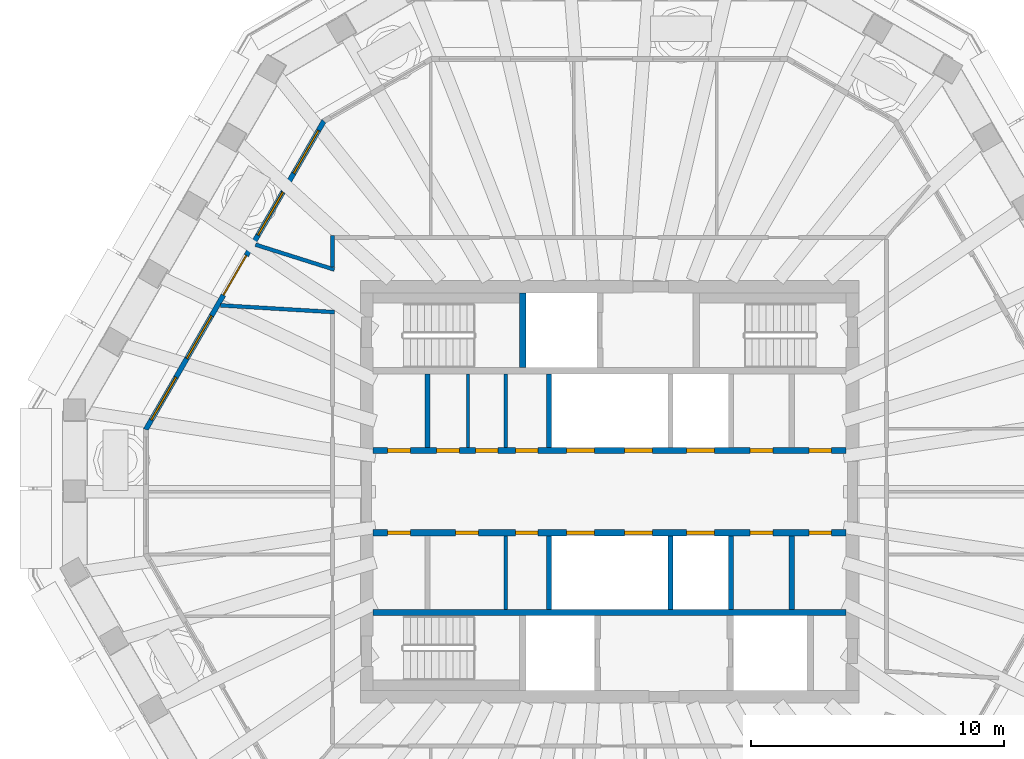
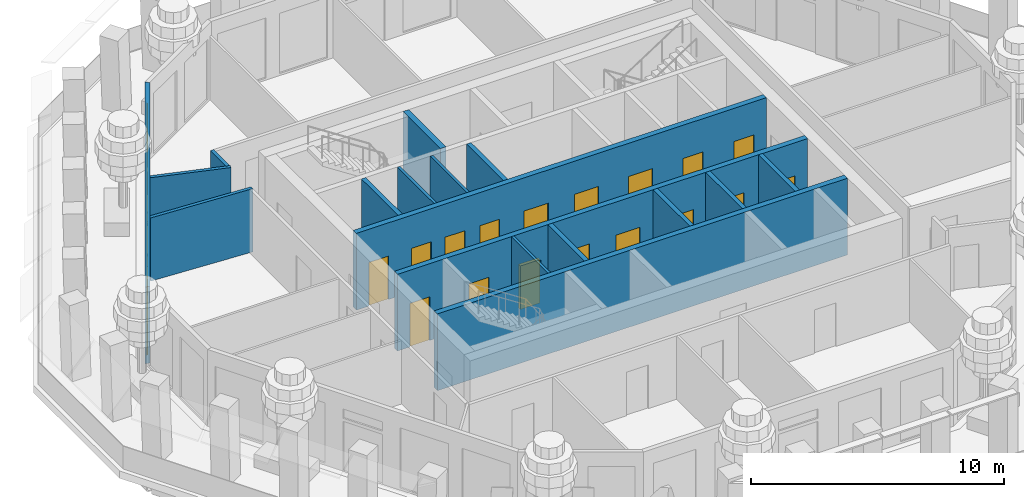
# One storey, part 5 of 13: 18 doors, 17 walls, 5 windows, 23 openings.
"""IFC4 building model written with IfcOpenShell, lengths in metres."""

import ifcopenshell
import ifcopenshell.guid

model = None  # the IFC model being written
_history = None  # IfcOwnerHistory: only IFC2X3 demands one
_inside = {}  # id of a spatial element -> (the spatial element, [elements in it])
_under = {}  # id of a project, library or spatial element -> (it, [spatial elements below it])
_declared = {}  # id of a project -> (the project, [libraries it declares])
_typed = {}  # id of a type object -> (the type object, [elements of that type])
_made_of = {}  # id of a material, layer set ... -> (it, [elements and type objects made of it])


def new_model(schema):
    """Start an empty IFC model of exactly this schema.

    Asked for "IFC4X3", IfcOpenShell would pick the latest addendum, in which some entities
    have other attributes; the version numbers below select the first issue.
    IFC2X3 requires an IfcOwnerHistory on every rooted entity: one is made here for all.
    """
    global model, _history
    if schema == "IFC4X3":
        model = ifcopenshell.file(schema_version=(4, 3, 0, 0))
    else:
        model = ifcopenshell.file(schema=schema)
    _inside.clear()
    _under.clear()
    _declared.clear()
    _typed.clear()
    _made_of.clear()
    _history = None
    if model.schema == "IFC2X3":
        org = make("IfcOrganization", Name="unknown")
        user = make(
            "IfcPersonAndOrganization",
            ThePerson=make("IfcPerson", FamilyName="unknown"),
            TheOrganization=org,
        )
        app = make(
            "IfcApplication",
            ApplicationDeveloper=org,
            Version="unknown",
            ApplicationFullName="unknown",
            ApplicationIdentifier="unknown",
        )
        _history = make(
            "IfcOwnerHistory",
            OwningUser=user,
            OwningApplication=app,
            ChangeAction="ADDED",
            CreationDate=0,
        )
    return model


def make(cls, **values):
    """One entity of the class cls with the attributes given. An attribute that is None is left unset."""
    return model.create_entity(
        cls, **{name: value for name, value in values.items() if value is not None}
    )


def rooted(cls, **values):
    """An entity with a GlobalId (a new one), such as an element, a storey or a relation."""
    return make(cls, GlobalId=ifcopenshell.guid.new(), OwnerHistory=_history, **values)


def si_unit(unit_type, name, prefix=None):
    """IfcSIUnit, for example si_unit("LENGTHUNIT", "METRE", prefix="MILLI")."""
    return make("IfcSIUnit", UnitType=unit_type, Prefix=prefix, Name=name)


def assignment(units):
    """IfcUnitAssignment: the units of a project."""
    return None if units is None else make("IfcUnitAssignment", Units=units)


def point(xyz):
    """IfcCartesianPoint."""
    return None if xyz is None else make("IfcCartesianPoint", Coordinates=xyz)


def direction(xyz):
    """IfcDirection."""
    return None if xyz is None else make("IfcDirection", DirectionRatios=xyz)


def frame(location, z_axis=None, x_axis=None):
    """IfcAxis2Placement3D, a coordinate frame: its origin and axes. An axis left out is left unset."""
    return make(
        "IfcAxis2Placement3D",
        Location=point(location),
        Axis=direction(z_axis),
        RefDirection=direction(x_axis),
    )


def frame_2d(location, x_axis=None):
    """IfcAxis2Placement2D, a coordinate frame in the plane: its origin and x axis."""
    return make(
        "IfcAxis2Placement2D", Location=point(location), RefDirection=direction(x_axis)
    )


def origin():
    """The frame at (0, 0, 0) with its axes left unset."""
    return frame((0.0, 0.0, 0.0))


def place(relative_to, where):
    """IfcLocalPlacement: puts the frame where relative to a parent placement (None: the world)."""
    return make(
        "IfcLocalPlacement", PlacementRelTo=relative_to, RelativePlacement=where
    )


def context(
    kind, dimensions, precision=None, world=None, true_north=None, identifier=None
):
    """IfcGeometricRepresentationContext, for example the 3D "Model" context."""
    return make(
        "IfcGeometricRepresentationContext",
        ContextIdentifier=identifier,
        ContextType=kind,
        CoordinateSpaceDimension=dimensions,
        Precision=precision,
        WorldCoordinateSystem=world,
        TrueNorth=true_north,
    )


def subcontext(parent, identifier, kind, view, scale=None):
    """IfcGeometricRepresentationSubContext, for example "Body" below "Model"."""
    return make(
        "IfcGeometricRepresentationSubContext",
        ContextIdentifier=identifier,
        ContextType=kind,
        ParentContext=parent,
        TargetScale=scale,
        TargetView=view,
    )


def project(units=None, contexts=None):
    """IfcProject with its units and contexts."""
    return rooted(
        "IfcProject",
        Name="project",
        RepresentationContexts=contexts,
        UnitsInContext=assignment(units),
    )


def spatial(cls, under=None, at=None, **own):
    """A site, building, storey or space (cls), placed at a placement, below another one or the project."""
    s = rooted(cls, ObjectPlacement=at, **own)
    if under is not None:
        _under.setdefault(under.id(), (under, []))[1].append(s)
    return s


def polyline(points):
    """IfcPolyline through the points."""
    return make("IfcPolyline", Points=[point(p) for p in points])


def profile(cls, at=None, kind="AREA", **sizes):
    """A parametric profile (cls). Its sizes go by their IFC names, for example OverallWidth=200.0."""
    return make(cls, ProfileType=kind, Position=at, **sizes)


def rectangle(**sizes):
    """IfcRectangleProfileDef."""
    return profile("IfcRectangleProfileDef", **sizes)


def outline(outer, holes=None, kind="AREA"):
    """IfcArbitraryClosedProfileDef: a profile drawn as a closed curve; with holes, ...WithVoids."""
    if holes is None:
        return make("IfcArbitraryClosedProfileDef", ProfileType=kind, OuterCurve=outer)
    return make(
        "IfcArbitraryProfileDefWithVoids",
        ProfileType=kind,
        OuterCurve=outer,
        InnerCurves=holes,
    )


def extrude(swept, where, along, depth):
    """IfcExtrudedAreaSolid: the profile swept, set in the frame where, extruded along a direction by depth."""
    return make(
        "IfcExtrudedAreaSolid",
        SweptArea=swept,
        Position=where,
        ExtrudedDirection=direction(along),
        Depth=depth,
    )


def shape(context_of_items, identifier, shape_type, items):
    """IfcShapeRepresentation: the items that make up one representation, for example the "Body"."""
    return make(
        "IfcShapeRepresentation",
        ContextOfItems=context_of_items,
        RepresentationIdentifier=identifier,
        RepresentationType=shape_type,
        Items=items,
    )


def material(Name=None, Category=None):
    """IfcMaterial."""
    return make("IfcMaterial", Name=Name, Category=Category)


def layer(
    of_material, thickness, ventilated=None, Name=None, Category=None, Priority=None
):
    """IfcMaterialLayer: one layer of a wall or slab, of a material (None: an air gap)."""
    return make(
        "IfcMaterialLayer",
        Material=of_material,
        LayerThickness=thickness,
        IsVentilated=ventilated,
        Name=Name,
        Category=Category,
        Priority=Priority,
    )


def layer_set(layers, Name=None):
    """IfcMaterialLayerSet."""
    return make("IfcMaterialLayerSet", MaterialLayers=layers, LayerSetName=Name)


def made_of(thing, what):
    """Note that an element or type object is made of a material, layer set ...; save() writes the relation."""
    if what is not None:
        _made_of.setdefault(what.id(), (what, []))[1].append(thing)
    return thing


def type_object(cls, material=None, **own):
    """A type object (cls), such as IfcWallType, which elements share."""
    return made_of(rooted(cls, **own), material)


def element(
    cls,
    number,
    at=None,
    inside=None,
    cuts=None,
    type_object=None,
    material=None,
    context=None,
    identifier="Body",
    shape_type=None,
    held_by="IfcProductDefinitionShape",
    body=None,
    shapes=None,
    **own,
):
    """One element of the class cls, such as IfcWall. Its Tag is "e" and its number.

    at: its placement. inside: the storey or other place that contains it. cuts: it is an
    opening in that element (IfcRelVoidsElement). A single representation is given by context,
    identifier, shape_type and body (its items); several are given by shapes. held_by: the class
    of the entity that holds the representations. save() writes the other relations.
    """
    e = rooted(cls, Tag="e%d" % number, ObjectPlacement=at, **own)
    if body is not None:
        shapes = [shape(context, identifier, shape_type, body)]
    if shapes is not None:
        e.Representation = make(held_by, Representations=shapes)
    if inside is not None:
        _inside.setdefault(inside.id(), (inside, []))[1].append(e)
    if cuts is not None:
        rooted(
            "IfcRelVoidsElement", RelatingBuildingElement=cuts, RelatedOpeningElement=e
        )
    if type_object is not None:
        _typed.setdefault(type_object.id(), (type_object, []))[1].append(e)
    return made_of(e, material)


def fill(opening, filler):
    """IfcRelFillsElement: the door or window that sits in an opening."""
    return rooted(
        "IfcRelFillsElement",
        RelatingOpeningElement=opening,
        RelatedBuildingElement=filler,
    )


def aggregate(whole, parts):
    """IfcRelAggregates: a whole, such as a stair, and the parts it consists of."""
    return rooted("IfcRelAggregates", RelatingObject=whole, RelatedObjects=parts)


def save(model, path):
    """Write the relations noted so far, then the file.

    IfcRelAggregates (storeys below a building ...), IfcRelContainedInSpatialStructure (elements
    in a storey), IfcRelDefinesByType, IfcRelAssociatesMaterial and IfcRelDeclares: one each for
    every whole, place, type object, material and project.
    """
    for whole, parts in _under.values():
        aggregate(whole, parts)
    for where, things in _inside.values():
        rooted(
            "IfcRelContainedInSpatialStructure",
            RelatedElements=things,
            RelatingStructure=where,
        )
    for kind, things in _typed.values():
        rooted("IfcRelDefinesByType", RelatedObjects=things, RelatingType=kind)
    for what, things in _made_of.values():
        rooted("IfcRelAssociatesMaterial", RelatedObjects=things, RelatingMaterial=what)
    for by, libraries in _declared.values():
        rooted("IfcRelDeclares", RelatingContext=by, RelatedDefinitions=libraries)
    model.write(path)


model = new_model("IFC4")

# Units and contexts
model_context = context("Model", 3, precision=1e-05, world=origin(), true_north=direction((0.0, 1.0)))
body_context = subcontext(model_context, "Body", "Model", "MODEL_VIEW")
ifc_project = project(units=[si_unit("LENGTHUNIT", "METRE"), si_unit("AREAUNIT", "SQUARE_METRE"), si_unit("VOLUMEUNIT", "CUBIC_METRE"), si_unit("PLANEANGLEUNIT", "RADIAN"), si_unit("MASSUNIT", "GRAM", prefix="KILO")], contexts=[model_context])

# Site, building, storey
site_placement = place(None, origin())
site = spatial("IfcSite", under=ifc_project, at=site_placement, CompositionType="ELEMENT")
building_placement = place(site_placement, origin())
building = spatial("IfcBuilding", under=site, at=building_placement, Name="Frailejon Research Tower", CompositionType="ELEMENT")
storey_placement = place(building_placement, frame((0.0, 0.0, 308.60009765625)))
storey = spatial("IfcBuildingStorey", under=building, at=storey_placement, Name="L68", CompositionType="ELEMENT", Elevation=308.60009765625)

# Walls
ifc_material_1 = material(Name="Plasterboard on steel studs", Category="steel")
ifc_layer_1 = layer(ifc_material_1, 0.125)
ifc_layer_set_1 = layer_set([ifc_layer_1], Name="Core partition 125")
wall_type_1 = type_object("IfcWallType", Name="Core partition 125", PredefinedType="PARTITIONING", material=ifc_layer_set_1)
for number, where, z_axis, x_axis, name in (
    (1, (-5.60009765625, 1.75, 0.0), (0.0, 0.0, 1.0), (0.0, 1.0, 0.0), "Core partition"),
    (2, (-4.10009765625, 1.75, 0.0), (0.0, 0.0, 1.0), (0.0, 1.0, 0.0), "Core partition"),
    (3, (-4.10009765625, -4.64990234375, 0.0), (0.0, 0.0, 1.0), (0.0, 1.0, 0.0), "Core partition"),
):
    element("IfcWall", number, at=place(storey_placement, frame(where, z_axis=z_axis, x_axis=x_axis)), inside=storey, type_object=wall_type_1, Name=name, PredefinedType="PARTITIONING", context=body_context, shape_type="SweptSolid", body=[
        extrude(rectangle(XDim=2.89990234375, YDim=0.125, at=frame_2d((1.449951171875, 0.0))), origin(), (0.0, 0.0, 1.0), 3.699951171875),
    ])
ifc_material_2 = material(Name="Gypsum board and masonry partition", Category="masonry")
ifc_layer_2 = layer(ifc_material_2, 0.14990234375)
ifc_layer_set_2 = layer_set([ifc_layer_2], Name="Corridor wall EI 60, gypsum on steel studs 150")
wall_type_2 = type_object("IfcWallType", Name="Corridor wall EI 60, gypsum on steel studs 150", PredefinedType="PARTITIONING", material=ifc_layer_set_2)
wall_1_placement = place(storey_placement, frame((-10.949951171875, 8.875, 0.0), z_axis=(0.0, 0.0, 1.0), x_axis=(0.0, 1.0, 0.0)))
element("IfcWall", 4, at=wall_1_placement, inside=storey, type_object=wall_type_2, Name="T:IW:L68:005", PredefinedType="PARTITIONING", context=body_context, shape_type="SweptSolid", body=[
    extrude(rectangle(XDim=1.25, YDim=0.14990234375, at=frame_2d((0.625, 0.0))), origin(), (0.0, 0.0, 1.0), 3.0498046875),
])
wall_2_placement = place(storey_placement, frame((-13.993896484375, 9.76171875, 0.0), z_axis=(0.0, 0.0, 1.0), x_axis=(0.953535222329, -0.301281562294, 0.0)))
element("IfcWall", 5, at=wall_2_placement, inside=storey, type_object=wall_type_2, Name="T:IW:L68:007", PredefinedType="PARTITIONING", context=body_context, shape_type="SweptSolid", body=[
    extrude(rectangle(XDim=3.267333984375, YDim=0.14990234375, at=frame_2d((1.6337890625, 0.0))), origin(), (0.0, 0.0, 1.0), 3.0498046875),
])
wall_3_placement = place(storey_placement, frame((-15.378662109375, 7.36328125, 0.0), z_axis=(0.0, 0.0, 1.0), x_axis=(0.998236474489, -0.059362791376, 0.0)))
element("IfcWall", 6, at=wall_3_placement, inside=storey, type_object=wall_type_2, Name="T:IW:L68:008", PredefinedType="PARTITIONING", context=body_context, shape_type="SweptSolid", body=[
    extrude(rectangle(XDim=4.51171875, YDim=0.14990234375, at=frame_2d((2.255859375, 0.0))), origin(), (0.0, 0.0, 1.0), 3.0498046875),
])
ifc_material_3 = material(Name="Concrete C50/60", Category="concrete")
ifc_layer_3 = layer(ifc_material_3, 0.199951171875)
ifc_layer_set_3 = layer_set([ifc_layer_3], Name="Shaft wall 200 C50/60")
wall_type_3 = type_object("IfcWallType", Name="Shaft wall 200 C50/60", PredefinedType="SOLIDWALL", material=ifc_layer_set_3)
for number, where, z_axis, x_axis, name in (
    (7, (-7.199951171875, 1.75, 0.0), (0.0, 0.0, 1.0), (0.0, 1.0, 0.0), "Shaft wall"),
    (8, (-2.39990234375, 1.75, 0.0), (0.0, 0.0, 1.0), (0.0, 1.0, 0.0), "Shaft wall"),
    (9, (-2.39990234375, -4.64990234375, 0.0), (0.0, 0.0, 1.0), (0.0, 1.0, 0.0), "Shaft wall"),
    (10, (2.39990234375, -4.64990234375, 0.0), (0.0, 0.0, 1.0), (0.0, 1.0, 0.0), "Shaft wall"),
    (11, (4.800048828125, -4.64990234375, 0.0), (0.0, 0.0, 1.0), (0.0, 1.0, 0.0), "Shaft wall"),
    (12, (7.199951171875, -4.64990234375, 0.0), (0.0, 0.0, 1.0), (0.0, 1.0, 0.0), "Shaft wall"),
):
    element("IfcWall", number, at=place(storey_placement, frame(where, z_axis=z_axis, x_axis=x_axis)), inside=storey, type_object=wall_type_3, Name=name, PredefinedType="SOLIDWALL", context=body_context, shape_type="SweptSolid", body=[
        extrude(rectangle(XDim=2.89990234375, YDim=0.199951171875, at=frame_2d((1.449951171875, 0.0))), origin(), (0.0, 0.0, 1.0), 3.699951171875),
    ])

# Wall, openings, doors
ifc_material_4 = material(Name="Concrete C50/60", Category="concrete")
ifc_layer_4 = layer(ifc_material_4, 0.25)
ifc_layer_set_4 = layer_set([ifc_layer_4], Name="Shaft wall 250 C50/60")
wall_type_4 = type_object("IfcWallType", Name="Shaft wall 250 C50/60", PredefinedType="SOLIDWALL", material=ifc_layer_set_4)
wall_4_placement = place(storey_placement, frame((-9.35009765625, 1.625, 0.0), z_axis=(0.0, 0.0, 1.0), x_axis=(1.0, 0.0, 0.0)))
wall_4 = element("IfcWall", 13, at=wall_4_placement, inside=storey, type_object=wall_type_4, Name="Shaft wall", PredefinedType="SOLIDWALL", context=body_context, shape_type="SweptSolid", body=[
    extrude(rectangle(XDim=18.7001953125, YDim=0.25, at=frame_2d((9.35009765625, 0.0))), origin(), (0.0, 0.0, 1.0), 3.699951171875),
])
opening_1_placement = place(wall_4_placement, frame((7.64990234375, 0.0, 0.0)))
opening_1 = element("IfcOpeningElement", 14, at=opening_1_placement, cuts=wall_4, Name="Opening LD", PredefinedType="OPENING", context=body_context, shape_type="SweptSolid", body=[
    extrude(rectangle(XDim=1.10009765625, YDim=2.10009765625, at=frame_2d((0.550048828125, 1.050048828125))), frame((0.0, 0.135009765625, 0.0), z_axis=(0.0, -1.0, 0.0), x_axis=(1.0, 0.0, 0.0)), (0.0, 0.0, 1.0), 0.27001953125),
])
opening_2_placement = place(wall_4_placement, frame((9.949951171875, 0.0, 0.0)))
opening_2 = element("IfcOpeningElement", 15, at=opening_2_placement, cuts=wall_4, Name="Opening LD", PredefinedType="OPENING", context=body_context, shape_type="SweptSolid", body=[
    extrude(rectangle(XDim=1.10009765625, YDim=2.10009765625, at=frame_2d((0.550048828125, 1.050048828125))), frame((0.0, 0.135009765625, 0.0), z_axis=(0.0, -1.0, 0.0), x_axis=(1.0, 0.0, 0.0)), (0.0, 0.0, 1.0), 0.27001953125),
])
opening_3_placement = place(wall_4_placement, frame((12.39990234375, 0.0, 0.0)))
opening_3 = element("IfcOpeningElement", 16, at=opening_3_placement, cuts=wall_4, Name="Opening LD", PredefinedType="OPENING", context=body_context, shape_type="SweptSolid", body=[
    extrude(rectangle(XDim=1.10009765625, YDim=2.10009765625, at=frame_2d((0.550048828125, 1.050048828125))), frame((0.0, 0.135009765625, 0.0), z_axis=(0.0, -1.0, 0.0), x_axis=(1.0, 0.0, 0.0)), (0.0, 0.0, 1.0), 0.27001953125),
])
opening_4_placement = place(wall_4_placement, frame((0.574951171875, 0.0, 0.0)))
opening_4 = element("IfcOpeningElement", 17, at=opening_4_placement, cuts=wall_4, Name="Opening D8", PredefinedType="OPENING", context=body_context, shape_type="SweptSolid", body=[
    extrude(rectangle(XDim=0.89990234375, YDim=2.10009765625, at=frame_2d((0.449951171875, 1.050048828125))), frame((0.0, 0.135009765625, 0.0), z_axis=(0.0, -1.0, 0.0), x_axis=(1.0, 0.0, 0.0)), (0.0, 0.0, 1.0), 0.27001953125),
])
opening_5_placement = place(wall_4_placement, frame((2.518798828125, 0.0, 0.0)))
opening_5 = element("IfcOpeningElement", 18, at=opening_5_placement, cuts=wall_4, Name="Opening D8", PredefinedType="OPENING", context=body_context, shape_type="SweptSolid", body=[
    extrude(rectangle(XDim=0.89990234375, YDim=2.10009765625, at=frame_2d((0.449951171875, 1.050048828125))), frame((0.0, 0.135009765625, 0.0), z_axis=(0.0, -1.0, 0.0), x_axis=(1.0, 0.0, 0.0)), (0.0, 0.0, 1.0), 0.27001953125),
])
opening_6_placement = place(wall_4_placement, frame((4.050048828125, 0.0, 0.0)))
opening_6 = element("IfcOpeningElement", 19, at=opening_6_placement, cuts=wall_4, Name="Opening D8", PredefinedType="OPENING", context=body_context, shape_type="SweptSolid", body=[
    extrude(rectangle(XDim=0.89990234375, YDim=2.10009765625, at=frame_2d((0.449951171875, 1.050048828125))), frame((0.0, 0.135009765625, 0.0), z_axis=(0.0, -1.0, 0.0), x_axis=(1.0, 0.0, 0.0)), (0.0, 0.0, 1.0), 0.27001953125),
])
opening_7_placement = place(wall_4_placement, frame((5.631103515625, 0.0, 0.0)))
opening_7 = element("IfcOpeningElement", 20, at=opening_7_placement, cuts=wall_4, Name="Opening D8", PredefinedType="OPENING", context=body_context, shape_type="SweptSolid", body=[
    extrude(rectangle(XDim=0.89990234375, YDim=2.10009765625, at=frame_2d((0.449951171875, 1.050048828125))), frame((0.0, 0.135009765625, 0.0), z_axis=(0.0, -1.0, 0.0), x_axis=(1.0, 0.0, 0.0)), (0.0, 0.0, 1.0), 0.27001953125),
])
opening_8_placement = place(wall_4_placement, frame((14.89990234375, 0.0, 0.0)))
opening_8 = element("IfcOpeningElement", 21, at=opening_8_placement, cuts=wall_4, Name="Opening D8", PredefinedType="OPENING", context=body_context, shape_type="SweptSolid", body=[
    extrude(rectangle(XDim=0.89990234375, YDim=2.10009765625, at=frame_2d((0.449951171875, 1.050048828125))), frame((0.0, 0.135009765625, 0.0), z_axis=(0.0, -1.0, 0.0), x_axis=(1.0, 0.0, 0.0)), (0.0, 0.0, 1.0), 0.27001953125),
])
opening_9_placement = place(wall_4_placement, frame((17.22509765625, 0.0, 0.0)))
opening_9 = element("IfcOpeningElement", 22, at=opening_9_placement, cuts=wall_4, Name="Opening D8", PredefinedType="OPENING", context=body_context, shape_type="SweptSolid", body=[
    extrude(rectangle(XDim=0.89990234375, YDim=2.10009765625, at=frame_2d((0.449951171875, 1.050048828125))), frame((0.0, 0.135009765625, 0.0), z_axis=(0.0, -1.0, 0.0), x_axis=(1.0, 0.0, 0.0)), (0.0, 0.0, 1.0), 0.27001953125),
])
ifc_material_5 = material(Name="Steel", Category="steel")
door_type_1 = type_object("IfcDoorType", Name="Core room door", OperationType="SINGLE_SWING_LEFT", PredefinedType="DOOR", material=ifc_material_5)
door_1_placement = place(opening_4_placement, origin())
door_1 = element("IfcDoor", 23, at=door_1_placement, inside=storey, type_object=door_type_1, Name="Room door", OperationType="SINGLE_SWING_LEFT", OverallHeight=2.10009765625, OverallWidth=0.89990234375, PredefinedType="DOOR", context=body_context, shape_type="SweptSolid", body=[
    extrude(rectangle(XDim=0.89990234375, YDim=2.10009765625, at=frame_2d((0.449951171875, 1.050048828125))), frame((0.0, 0.074951171875, 0.0), z_axis=(0.0, -1.0, 0.0), x_axis=(1.0, 0.0, 0.0)), (0.0, 0.0, 1.0), 0.14990234375),
])
fill(opening_4, door_1)
door_2_placement = place(opening_5_placement, origin())
door_2 = element("IfcDoor", 24, at=door_2_placement, inside=storey, type_object=door_type_1, Name="Room door", OperationType="SINGLE_SWING_RIGHT", OverallHeight=2.10009765625, OverallWidth=0.89990234375, PredefinedType="DOOR", context=body_context, shape_type="SweptSolid", body=[
    extrude(rectangle(XDim=0.89990234375, YDim=2.10009765625, at=frame_2d((0.449951171875, 1.050048828125))), frame((0.0, 0.074951171875, 0.0), z_axis=(0.0, -1.0, 0.0), x_axis=(1.0, 0.0, 0.0)), (0.0, 0.0, 1.0), 0.14990234375),
])
fill(opening_5, door_2)
door_3_placement = place(opening_6_placement, origin())
door_3 = element("IfcDoor", 25, at=door_3_placement, inside=storey, type_object=door_type_1, Name="Room door", OperationType="SINGLE_SWING_LEFT", OverallHeight=2.10009765625, OverallWidth=0.89990234375, PredefinedType="DOOR", context=body_context, shape_type="SweptSolid", body=[
    extrude(rectangle(XDim=0.89990234375, YDim=2.10009765625, at=frame_2d((0.449951171875, 1.050048828125))), frame((0.0, 0.074951171875, 0.0), z_axis=(0.0, -1.0, 0.0), x_axis=(1.0, 0.0, 0.0)), (0.0, 0.0, 1.0), 0.14990234375),
])
fill(opening_6, door_3)
door_4_placement = place(opening_7_placement, origin())
door_4 = element("IfcDoor", 26, at=door_4_placement, inside=storey, type_object=door_type_1, Name="Room door", OperationType="SINGLE_SWING_RIGHT", OverallHeight=2.10009765625, OverallWidth=0.89990234375, PredefinedType="DOOR", context=body_context, shape_type="SweptSolid", body=[
    extrude(rectangle(XDim=0.89990234375, YDim=2.10009765625, at=frame_2d((0.449951171875, 1.050048828125))), frame((0.0, 0.074951171875, 0.0), z_axis=(0.0, -1.0, 0.0), x_axis=(1.0, 0.0, 0.0)), (0.0, 0.0, 1.0), 0.14990234375),
])
fill(opening_7, door_4)
door_5_placement = place(opening_8_placement, origin())
door_5 = element("IfcDoor", 27, at=door_5_placement, inside=storey, type_object=door_type_1, Name="Room door", OperationType="SINGLE_SWING_LEFT", OverallHeight=2.10009765625, OverallWidth=0.89990234375, PredefinedType="DOOR", context=body_context, shape_type="SweptSolid", body=[
    extrude(rectangle(XDim=0.89990234375, YDim=2.10009765625, at=frame_2d((0.449951171875, 1.050048828125))), frame((0.0, 0.074951171875, 0.0), z_axis=(0.0, -1.0, 0.0), x_axis=(1.0, 0.0, 0.0)), (0.0, 0.0, 1.0), 0.14990234375),
])
fill(opening_8, door_5)
door_6_placement = place(opening_9_placement, origin())
door_6 = element("IfcDoor", 28, at=door_6_placement, inside=storey, type_object=door_type_1, Name="Room door", OperationType="SINGLE_SWING_RIGHT", OverallHeight=2.10009765625, OverallWidth=0.89990234375, PredefinedType="DOOR", context=body_context, shape_type="SweptSolid", body=[
    extrude(rectangle(XDim=0.89990234375, YDim=2.10009765625, at=frame_2d((0.449951171875, 1.050048828125))), frame((0.0, 0.074951171875, 0.0), z_axis=(0.0, -1.0, 0.0), x_axis=(1.0, 0.0, 0.0)), (0.0, 0.0, 1.0), 0.14990234375),
])
fill(opening_9, door_6)
ifc_material_6 = material(Name="Steel", Category="steel")
door_type_2 = type_object("IfcDoorType", Name="Lift landing door", OperationType="DOUBLE_DOOR_SLIDING", PredefinedType="DOOR", material=ifc_material_6)
door_7_placement = place(opening_1_placement, origin())
door_7 = element("IfcDoor", 29, at=door_7_placement, inside=storey, type_object=door_type_2, Name="Lift landing door", OperationType="DOUBLE_DOOR_SLIDING", OverallHeight=2.10009765625, OverallWidth=1.10009765625, PredefinedType="DOOR", context=body_context, shape_type="SweptSolid", body=[
    extrude(rectangle(XDim=1.10009765625, YDim=2.10009765625, at=frame_2d((0.550048828125, 1.050048828125))), frame((0.0, 0.074951171875, 0.0), z_axis=(0.0, -1.0, 0.0), x_axis=(1.0, 0.0, 0.0)), (0.0, 0.0, 1.0), 0.14990234375),
])
fill(opening_1, door_7)
door_8_placement = place(opening_2_placement, origin())
door_8 = element("IfcDoor", 30, at=door_8_placement, inside=storey, type_object=door_type_2, Name="Lift landing door", OperationType="DOUBLE_DOOR_SLIDING", OverallHeight=2.10009765625, OverallWidth=1.10009765625, PredefinedType="DOOR", context=body_context, shape_type="SweptSolid", body=[
    extrude(rectangle(XDim=1.10009765625, YDim=2.10009765625, at=frame_2d((0.550048828125, 1.050048828125))), frame((0.0, 0.074951171875, 0.0), z_axis=(0.0, -1.0, 0.0), x_axis=(1.0, 0.0, 0.0)), (0.0, 0.0, 1.0), 0.14990234375),
])
fill(opening_2, door_8)
door_9_placement = place(opening_3_placement, origin())
door_9 = element("IfcDoor", 31, at=door_9_placement, inside=storey, type_object=door_type_2, Name="Lift landing door", OperationType="DOUBLE_DOOR_SLIDING", OverallHeight=2.10009765625, OverallWidth=1.10009765625, PredefinedType="DOOR", context=body_context, shape_type="SweptSolid", body=[
    extrude(rectangle(XDim=1.10009765625, YDim=2.10009765625, at=frame_2d((0.550048828125, 1.050048828125))), frame((0.0, 0.074951171875, 0.0), z_axis=(0.0, -1.0, 0.0), x_axis=(1.0, 0.0, 0.0)), (0.0, 0.0, 1.0), 0.14990234375),
])
fill(opening_3, door_9)

wall_5_placement = place(storey_placement, frame((-9.35009765625, -1.625, 0.0), z_axis=(0.0, 0.0, 1.0), x_axis=(1.0, 0.0, 0.0)))
wall_5 = element("IfcWall", 32, at=wall_5_placement, inside=storey, type_object=wall_type_4, Name="Shaft wall", PredefinedType="SOLIDWALL", context=body_context, shape_type="SweptSolid", body=[
    extrude(rectangle(XDim=18.7001953125, YDim=0.25, at=frame_2d((9.35009765625, 0.0))), origin(), (0.0, 0.0, 1.0), 3.699951171875),
])
opening_10_placement = place(wall_5_placement, frame((7.64990234375, 0.0, 0.0)))
opening_10 = element("IfcOpeningElement", 33, at=opening_10_placement, cuts=wall_5, Name="Opening LD", PredefinedType="OPENING", context=body_context, shape_type="SweptSolid", body=[
    extrude(rectangle(XDim=1.10009765625, YDim=2.10009765625, at=frame_2d((0.550048828125, 1.050048828125))), frame((0.0, 0.135009765625, 0.0), z_axis=(0.0, -1.0, 0.0), x_axis=(1.0, 0.0, 0.0)), (0.0, 0.0, 1.0), 0.27001953125),
])
opening_11_placement = place(wall_5_placement, frame((9.949951171875, 0.0, 0.0)))
opening_11 = element("IfcOpeningElement", 34, at=opening_11_placement, cuts=wall_5, Name="Opening LD", PredefinedType="OPENING", context=body_context, shape_type="SweptSolid", body=[
    extrude(rectangle(XDim=1.10009765625, YDim=2.10009765625, at=frame_2d((0.550048828125, 1.050048828125))), frame((0.0, 0.135009765625, 0.0), z_axis=(0.0, -1.0, 0.0), x_axis=(1.0, 0.0, 0.0)), (0.0, 0.0, 1.0), 0.27001953125),
])
opening_12_placement = place(wall_5_placement, frame((12.39990234375, 0.0, 0.0)))
opening_12 = element("IfcOpeningElement", 35, at=opening_12_placement, cuts=wall_5, Name="Opening LD", PredefinedType="OPENING", context=body_context, shape_type="SweptSolid", body=[
    extrude(rectangle(XDim=1.10009765625, YDim=2.10009765625, at=frame_2d((0.550048828125, 1.050048828125))), frame((0.0, 0.135009765625, 0.0), z_axis=(0.0, -1.0, 0.0), x_axis=(1.0, 0.0, 0.0)), (0.0, 0.0, 1.0), 0.27001953125),
])
opening_13_placement = place(wall_5_placement, frame((0.574951171875, 0.0, 0.0)))
opening_13 = element("IfcOpeningElement", 36, at=opening_13_placement, cuts=wall_5, Name="Opening D8", PredefinedType="OPENING", context=body_context, shape_type="SweptSolid", body=[
    extrude(rectangle(XDim=0.89990234375, YDim=2.10009765625, at=frame_2d((0.449951171875, 1.050048828125))), frame((0.0, 0.135009765625, 0.0), z_axis=(0.0, -1.0, 0.0), x_axis=(1.0, 0.0, 0.0)), (0.0, 0.0, 1.0), 0.27001953125),
])
opening_14_placement = place(wall_5_placement, frame((3.268798828125, 0.0, 0.0)))
opening_14 = element("IfcOpeningElement", 37, at=opening_14_placement, cuts=wall_5, Name="Opening D8", PredefinedType="OPENING", context=body_context, shape_type="SweptSolid", body=[
    extrude(rectangle(XDim=0.89990234375, YDim=2.10009765625, at=frame_2d((0.449951171875, 1.050048828125))), frame((0.0, 0.135009765625, 0.0), z_axis=(0.0, -1.0, 0.0), x_axis=(1.0, 0.0, 0.0)), (0.0, 0.0, 1.0), 0.27001953125),
])
opening_15_placement = place(wall_5_placement, frame((5.631103515625, 0.0, 0.0)))
opening_15 = element("IfcOpeningElement", 38, at=opening_15_placement, cuts=wall_5, Name="Opening D8", PredefinedType="OPENING", context=body_context, shape_type="SweptSolid", body=[
    extrude(rectangle(XDim=0.89990234375, YDim=2.10009765625, at=frame_2d((0.449951171875, 1.050048828125))), frame((0.0, 0.135009765625, 0.0), z_axis=(0.0, -1.0, 0.0), x_axis=(1.0, 0.0, 0.0)), (0.0, 0.0, 1.0), 0.27001953125),
])
opening_16_placement = place(wall_5_placement, frame((14.89990234375, 0.0, 0.0)))
opening_16 = element("IfcOpeningElement", 39, at=opening_16_placement, cuts=wall_5, Name="Opening D8", PredefinedType="OPENING", context=body_context, shape_type="SweptSolid", body=[
    extrude(rectangle(XDim=0.89990234375, YDim=2.10009765625, at=frame_2d((0.449951171875, 1.050048828125))), frame((0.0, 0.135009765625, 0.0), z_axis=(0.0, -1.0, 0.0), x_axis=(1.0, 0.0, 0.0)), (0.0, 0.0, 1.0), 0.27001953125),
])
opening_17_placement = place(wall_5_placement, frame((17.22509765625, 0.0, 0.0)))
opening_17 = element("IfcOpeningElement", 40, at=opening_17_placement, cuts=wall_5, Name="Opening D8", PredefinedType="OPENING", context=body_context, shape_type="SweptSolid", body=[
    extrude(rectangle(XDim=0.89990234375, YDim=2.10009765625, at=frame_2d((0.449951171875, 1.050048828125))), frame((0.0, 0.135009765625, 0.0), z_axis=(0.0, -1.0, 0.0), x_axis=(1.0, 0.0, 0.0)), (0.0, 0.0, 1.0), 0.27001953125),
])
door_10_placement = place(opening_13_placement, origin())
door_10 = element("IfcDoor", 41, at=door_10_placement, inside=storey, type_object=door_type_1, Name="Room door", OperationType="SINGLE_SWING_LEFT", OverallHeight=2.10009765625, OverallWidth=0.89990234375, PredefinedType="DOOR", context=body_context, shape_type="SweptSolid", body=[
    extrude(rectangle(XDim=0.89990234375, YDim=2.10009765625, at=frame_2d((0.449951171875, 1.050048828125))), frame((0.0, 0.074951171875, 0.0), z_axis=(0.0, -1.0, 0.0), x_axis=(1.0, 0.0, 0.0)), (0.0, 0.0, 1.0), 0.14990234375),
])
fill(opening_13, door_10)
door_11_placement = place(opening_14_placement, origin())
door_11 = element("IfcDoor", 42, at=door_11_placement, inside=storey, type_object=door_type_1, Name="Room door", OperationType="SINGLE_SWING_RIGHT", OverallHeight=2.10009765625, OverallWidth=0.89990234375, PredefinedType="DOOR", context=body_context, shape_type="SweptSolid", body=[
    extrude(rectangle(XDim=0.89990234375, YDim=2.10009765625, at=frame_2d((0.449951171875, 1.050048828125))), frame((0.0, 0.074951171875, 0.0), z_axis=(0.0, -1.0, 0.0), x_axis=(1.0, 0.0, 0.0)), (0.0, 0.0, 1.0), 0.14990234375),
])
fill(opening_14, door_11)
door_12_placement = place(opening_15_placement, origin())
door_12 = element("IfcDoor", 43, at=door_12_placement, inside=storey, type_object=door_type_1, Name="Room door", OperationType="SINGLE_SWING_LEFT", OverallHeight=2.10009765625, OverallWidth=0.89990234375, PredefinedType="DOOR", context=body_context, shape_type="SweptSolid", body=[
    extrude(rectangle(XDim=0.89990234375, YDim=2.10009765625, at=frame_2d((0.449951171875, 1.050048828125))), frame((0.0, 0.074951171875, 0.0), z_axis=(0.0, -1.0, 0.0), x_axis=(1.0, 0.0, 0.0)), (0.0, 0.0, 1.0), 0.14990234375),
])
fill(opening_15, door_12)
door_13_placement = place(opening_16_placement, origin())
door_13 = element("IfcDoor", 44, at=door_13_placement, inside=storey, type_object=door_type_1, Name="Room door", OperationType="SINGLE_SWING_RIGHT", OverallHeight=2.10009765625, OverallWidth=0.89990234375, PredefinedType="DOOR", context=body_context, shape_type="SweptSolid", body=[
    extrude(rectangle(XDim=0.89990234375, YDim=2.10009765625, at=frame_2d((0.449951171875, 1.050048828125))), frame((0.0, 0.074951171875, 0.0), z_axis=(0.0, -1.0, 0.0), x_axis=(1.0, 0.0, 0.0)), (0.0, 0.0, 1.0), 0.14990234375),
])
fill(opening_16, door_13)
door_14_placement = place(opening_17_placement, origin())
door_14 = element("IfcDoor", 45, at=door_14_placement, inside=storey, type_object=door_type_1, Name="Room door", OperationType="SINGLE_SWING_LEFT", OverallHeight=2.10009765625, OverallWidth=0.89990234375, PredefinedType="DOOR", context=body_context, shape_type="SweptSolid", body=[
    extrude(rectangle(XDim=0.89990234375, YDim=2.10009765625, at=frame_2d((0.449951171875, 1.050048828125))), frame((0.0, 0.074951171875, 0.0), z_axis=(0.0, -1.0, 0.0), x_axis=(1.0, 0.0, 0.0)), (0.0, 0.0, 1.0), 0.14990234375),
])
fill(opening_17, door_14)
door_15_placement = place(opening_10_placement, origin())
door_15 = element("IfcDoor", 46, at=door_15_placement, inside=storey, type_object=door_type_2, Name="Lift landing door", OperationType="DOUBLE_DOOR_SLIDING", OverallHeight=2.10009765625, OverallWidth=1.10009765625, PredefinedType="DOOR", context=body_context, shape_type="SweptSolid", body=[
    extrude(rectangle(XDim=1.10009765625, YDim=2.10009765625, at=frame_2d((0.550048828125, 1.050048828125))), frame((0.0, 0.074951171875, 0.0), z_axis=(0.0, -1.0, 0.0), x_axis=(1.0, 0.0, 0.0)), (0.0, 0.0, 1.0), 0.14990234375),
])
fill(opening_10, door_15)
door_16_placement = place(opening_11_placement, origin())
door_16 = element("IfcDoor", 47, at=door_16_placement, inside=storey, type_object=door_type_2, Name="Lift landing door", OperationType="DOUBLE_DOOR_SLIDING", OverallHeight=2.10009765625, OverallWidth=1.10009765625, PredefinedType="DOOR", context=body_context, shape_type="SweptSolid", body=[
    extrude(rectangle(XDim=1.10009765625, YDim=2.10009765625, at=frame_2d((0.550048828125, 1.050048828125))), frame((0.0, 0.074951171875, 0.0), z_axis=(0.0, -1.0, 0.0), x_axis=(1.0, 0.0, 0.0)), (0.0, 0.0, 1.0), 0.14990234375),
])
fill(opening_11, door_16)
door_17_placement = place(opening_12_placement, origin())
door_17 = element("IfcDoor", 48, at=door_17_placement, inside=storey, type_object=door_type_2, Name="Lift landing door", OperationType="DOUBLE_DOOR_SLIDING", OverallHeight=2.10009765625, OverallWidth=1.10009765625, PredefinedType="DOOR", context=body_context, shape_type="SweptSolid", body=[
    extrude(rectangle(XDim=1.10009765625, YDim=2.10009765625, at=frame_2d((0.550048828125, 1.050048828125))), frame((0.0, 0.074951171875, 0.0), z_axis=(0.0, -1.0, 0.0), x_axis=(1.0, 0.0, 0.0)), (0.0, 0.0, 1.0), 0.14990234375),
])
fill(opening_12, door_17)

# Walls
wall_6_placement = place(storey_placement, frame((-9.35009765625, -4.77490234375, 0.0), z_axis=(0.0, 0.0, 1.0), x_axis=(1.0, 0.0, 0.0)))
element("IfcWall", 49, at=wall_6_placement, inside=storey, type_object=wall_type_4, Name="Shaft wall", PredefinedType="SOLIDWALL", context=body_context, shape_type="SweptSolid", body=[
    extrude(rectangle(XDim=18.7001953125, YDim=0.25, at=frame_2d((9.35009765625, 0.0))), origin(), (0.0, 0.0, 1.0), 3.699951171875),
])
wall_7_placement = place(storey_placement, frame((-3.425048828125, 4.89990234375, 0.0), z_axis=(0.0, 0.0, 1.0), x_axis=(0.0, 1.0, 0.0)))
element("IfcWall", 50, at=wall_7_placement, inside=storey, type_object=wall_type_4, Name="Shaft wall", PredefinedType="SOLIDWALL", context=body_context, shape_type="SweptSolid", body=[
    extrude(rectangle(XDim=2.9501953125, YDim=0.25, at=frame_2d((1.47509765625, 0.0))), origin(), (0.0, 0.0, 1.0), 3.699951171875),
])

# Wall, openings, door, windows
ifc_material_7 = material(Name="Concrete C40/50 precast window wall panel", Category="concrete")
ifc_layer_5 = layer(ifc_material_7, 0.199951171875)
ifc_layer_set_5 = layer_set([ifc_layer_5], Name="Window wall 200")
wall_type_5 = type_object("IfcWallType", Name="Window wall 200", PredefinedType="SOLIDWALL", material=ifc_layer_set_5)
wall_8_placement = place(storey_placement, frame((-11.29052734375, 14.644287109375, 0.0), z_axis=(0.0, 0.0, 1.0), x_axis=(-0.499991740577, -0.866030172312, 0.0)))
wall_8 = element("IfcWall", 51, at=wall_8_placement, inside=storey, type_object=wall_type_5, Name="Exterior wall L68", PredefinedType="SOLIDWALL", context=body_context, shape_type="SweptSolid", body=[
    extrude(outline(polyline([(-0.02685546875, -0.10009765625), (0.982177734375, -0.10009765625), (1.991455078125, -0.10009765625), (3.00048828125, -0.10009765625), (4.009521484375, -0.10009765625), (5.018798828125, -0.10009765625), (6.02783203125, -0.10009765625), (7.037109375, -0.10009765625), (8.046142578125, -0.10009765625), (9.05517578125, -0.10009765625), (10.064453125, -0.10009765625), (11.073486328125, -0.10009765625), (12.08251953125, -0.10009765625), (13.091796875, -0.10009765625), (14.100830078125, -0.10009765625), (14.047119140625, 0.10009765625), (13.045654296875, 0.10009765625), (12.044189453125, 0.10009765625), (11.042724609375, 0.10009765625), (10.041259765625, 0.10009765625), (9.039794921875, 0.10009765625), (8.038330078125, 0.10009765625), (7.037109375, 0.10009765625), (6.03564453125, 0.10009765625), (5.0341796875, 0.10009765625), (4.03271484375, 0.10009765625), (3.03125, 0.10009765625), (2.02978515625, 0.10009765625), (1.0283203125, 0.10009765625), (0.02685546875, 0.10009765625), (-0.02685546875, -0.10009765625)])), origin(), (0.0, 0.0, 1.0), 3.699951171875),
])
opening_18_placement = place(wall_8_placement, frame((0.432373046875, 0.0, 0.10009765625)))
opening_18 = element("IfcOpeningElement", 52, at=opening_18_placement, cuts=wall_8, Name="Opening W27", PredefinedType="OPENING", context=body_context, shape_type="SweptSolid", body=[
    extrude(rectangle(XDim=1.949951171875, YDim=2.89990234375, at=frame_2d((0.97509765625, 1.449951171875))), frame((0.0, 0.10986328125, 0.0), z_axis=(0.0, -1.0, 0.0), x_axis=(1.0, 0.0, 0.0)), (0.0, 0.0, 1.0), 0.219970703125),
])
opening_19_placement = place(wall_8_placement, frame((3.247314453125, 0.0, 0.10009765625)))
opening_19 = element("IfcOpeningElement", 53, at=opening_19_placement, cuts=wall_8, Name="Opening W27", PredefinedType="OPENING", context=body_context, shape_type="SweptSolid", body=[
    extrude(rectangle(XDim=1.949951171875, YDim=2.89990234375, at=frame_2d((0.97509765625, 1.449951171875))), frame((0.0, 0.10986328125, 0.0), z_axis=(0.0, -1.0, 0.0), x_axis=(1.0, 0.0, 0.0)), (0.0, 0.0, 1.0), 0.219970703125),
])
opening_20_placement = place(wall_8_placement, frame((6.136962890625, 0.0, 0.0)))
opening_20 = element("IfcOpeningElement", 54, at=opening_20_placement, cuts=wall_8, Name="Opening LG68-3", PredefinedType="OPENING", context=body_context, shape_type="SweptSolid", body=[
    extrude(rectangle(XDim=1.800048828125, YDim=2.39990234375, at=frame_2d((0.89990234375, 1.199951171875))), frame((0.0, 0.10986328125, 0.0), z_axis=(0.0, -1.0, 0.0), x_axis=(1.0, 0.0, 0.0)), (0.0, 0.0, 1.0), 0.219970703125),
])
opening_21_placement = place(wall_8_placement, frame((6.136962890625, 0.0, 2.550048828125)))
opening_21 = element("IfcOpeningElement", 55, at=opening_21_placement, cuts=wall_8, Name="Opening W1", PredefinedType="OPENING", context=body_context, shape_type="SweptSolid", body=[
    extrude(rectangle(XDim=1.800048828125, YDim=0.449951171875, at=frame_2d((0.89990234375, 0.22509765625))), frame((0.0, 0.10986328125, 0.0), z_axis=(0.0, -1.0, 0.0), x_axis=(1.0, 0.0, 0.0)), (0.0, 0.0, 1.0), 0.219970703125),
])
opening_22_placement = place(wall_8_placement, frame((8.876708984375, 0.0, 0.10009765625)))
opening_22 = element("IfcOpeningElement", 56, at=opening_22_placement, cuts=wall_8, Name="Opening W27", PredefinedType="OPENING", context=body_context, shape_type="SweptSolid", body=[
    extrude(rectangle(XDim=1.949951171875, YDim=2.89990234375, at=frame_2d((0.97509765625, 1.449951171875))), frame((0.0, 0.10986328125, 0.0), z_axis=(0.0, -1.0, 0.0), x_axis=(1.0, 0.0, 0.0)), (0.0, 0.0, 1.0), 0.219970703125),
])
opening_23_placement = place(wall_8_placement, frame((11.69140625, 0.0, 0.10009765625)))
opening_23 = element("IfcOpeningElement", 57, at=opening_23_placement, cuts=wall_8, Name="Opening W27", PredefinedType="OPENING", context=body_context, shape_type="SweptSolid", body=[
    extrude(rectangle(XDim=1.949951171875, YDim=2.89990234375, at=frame_2d((0.97509765625, 1.449951171875))), frame((0.0, 0.10986328125, 0.0), z_axis=(0.0, -1.0, 0.0), x_axis=(1.0, 0.0, 0.0)), (0.0, 0.0, 1.0), 0.219970703125),
])
ifc_material_8 = material(Name="Aluminium framed glazed door leaf", Category="aluminium")
door_type_3 = type_object("IfcDoorType", Name="Loggia door 1800x2400", OperationType="DOUBLE_DOOR_SINGLE_SWING", PredefinedType="DOOR", material=ifc_material_8)
door_18_placement = place(opening_20_placement, origin())
door_18 = element("IfcDoor", 58, at=door_18_placement, inside=storey, type_object=door_type_3, Name="Door LG68-3", OperationType="DOUBLE_DOOR_SINGLE_SWING", OverallHeight=2.39990234375, OverallWidth=1.800048828125, PredefinedType="DOOR", context=body_context, shape_type="SweptSolid", body=[
    extrude(rectangle(XDim=1.800048828125, YDim=2.39990234375, at=frame_2d((0.89990234375, 1.199951171875))), frame((0.0, 0.02490234375, 0.0), z_axis=(0.0, -1.0, 0.0), x_axis=(1.0, 0.0, 0.0)), (0.0, 0.0, 1.0), 0.050048828125),
])
fill(opening_20, door_18)
ifc_material_9 = material(Name="Aluminium framed double glazing", Category="aluminium")
window_type_1 = type_object("IfcWindowType", Name="Window 1800x450", PartitioningType="SINGLE_PANEL", PredefinedType="WINDOW", material=ifc_material_9)
window_1_placement = place(opening_21_placement, origin())
window_1 = element("IfcWindow", 59, at=window_1_placement, inside=storey, type_object=window_type_1, Name="Window L68", OverallHeight=0.449951171875, OverallWidth=1.800048828125, PartitioningType="SINGLE_PANEL", PredefinedType="WINDOW", context=body_context, shape_type="SweptSolid", body=[
    extrude(rectangle(XDim=1.800048828125, YDim=0.449951171875, at=frame_2d((0.89990234375, 0.22509765625))), frame((0.0, 0.030029296875, 0.0), z_axis=(0.0, -1.0, 0.0), x_axis=(1.0, 0.0, 0.0)), (0.0, 0.0, 1.0), 0.06005859375),
])
fill(opening_21, window_1)
ifc_material_10 = material(Name="Aluminium framed double glazing", Category="aluminium")
window_type_2 = type_object("IfcWindowType", Name="Window 1950x2900", PartitioningType="SINGLE_PANEL", PredefinedType="WINDOW", material=ifc_material_10)
window_2_placement = place(opening_18_placement, origin())
window_2 = element("IfcWindow", 60, at=window_2_placement, inside=storey, type_object=window_type_2, Name="Window L68", OverallHeight=2.89990234375, OverallWidth=1.949951171875, PartitioningType="SINGLE_PANEL", PredefinedType="WINDOW", context=body_context, shape_type="SweptSolid", body=[
    extrude(rectangle(XDim=1.949951171875, YDim=2.89990234375, at=frame_2d((0.97509765625, 1.449951171875))), frame((0.0, 0.030029296875, 0.0), z_axis=(0.0, -1.0, 0.0), x_axis=(1.0, 0.0, 0.0)), (0.0, 0.0, 1.0), 0.06005859375),
])
fill(opening_18, window_2)
window_3_placement = place(opening_19_placement, origin())
window_3 = element("IfcWindow", 61, at=window_3_placement, inside=storey, type_object=window_type_2, Name="Window L68", OverallHeight=2.89990234375, OverallWidth=1.949951171875, PartitioningType="SINGLE_PANEL", PredefinedType="WINDOW", context=body_context, shape_type="SweptSolid", body=[
    extrude(rectangle(XDim=1.949951171875, YDim=2.89990234375, at=frame_2d((0.97509765625, 1.449951171875))), frame((0.0, 0.030029296875, 0.0), z_axis=(0.0, -1.0, 0.0), x_axis=(1.0, 0.0, 0.0)), (0.0, 0.0, 1.0), 0.06005859375),
])
fill(opening_19, window_3)
window_4_placement = place(opening_22_placement, origin())
window_4 = element("IfcWindow", 62, at=window_4_placement, inside=storey, type_object=window_type_2, Name="Window L68", OverallHeight=2.89990234375, OverallWidth=1.949951171875, PartitioningType="SINGLE_PANEL", PredefinedType="WINDOW", context=body_context, shape_type="SweptSolid", body=[
    extrude(rectangle(XDim=1.949951171875, YDim=2.89990234375, at=frame_2d((0.97509765625, 1.449951171875))), frame((0.0, 0.030029296875, 0.0), z_axis=(0.0, -1.0, 0.0), x_axis=(1.0, 0.0, 0.0)), (0.0, 0.0, 1.0), 0.06005859375),
])
fill(opening_22, window_4)
window_5_placement = place(opening_23_placement, origin())
window_5 = element("IfcWindow", 63, at=window_5_placement, inside=storey, type_object=window_type_2, Name="Window L68", OverallHeight=2.89990234375, OverallWidth=1.949951171875, PartitioningType="SINGLE_PANEL", PredefinedType="WINDOW", context=body_context, shape_type="SweptSolid", body=[
    extrude(rectangle(XDim=1.949951171875, YDim=2.89990234375, at=frame_2d((0.97509765625, 1.449951171875))), frame((0.0, 0.030029296875, 0.0), z_axis=(0.0, -1.0, 0.0), x_axis=(1.0, 0.0, 0.0)), (0.0, 0.0, 1.0), 0.06005859375),
])
fill(opening_23, window_5)

save(model, "model.ifc")
